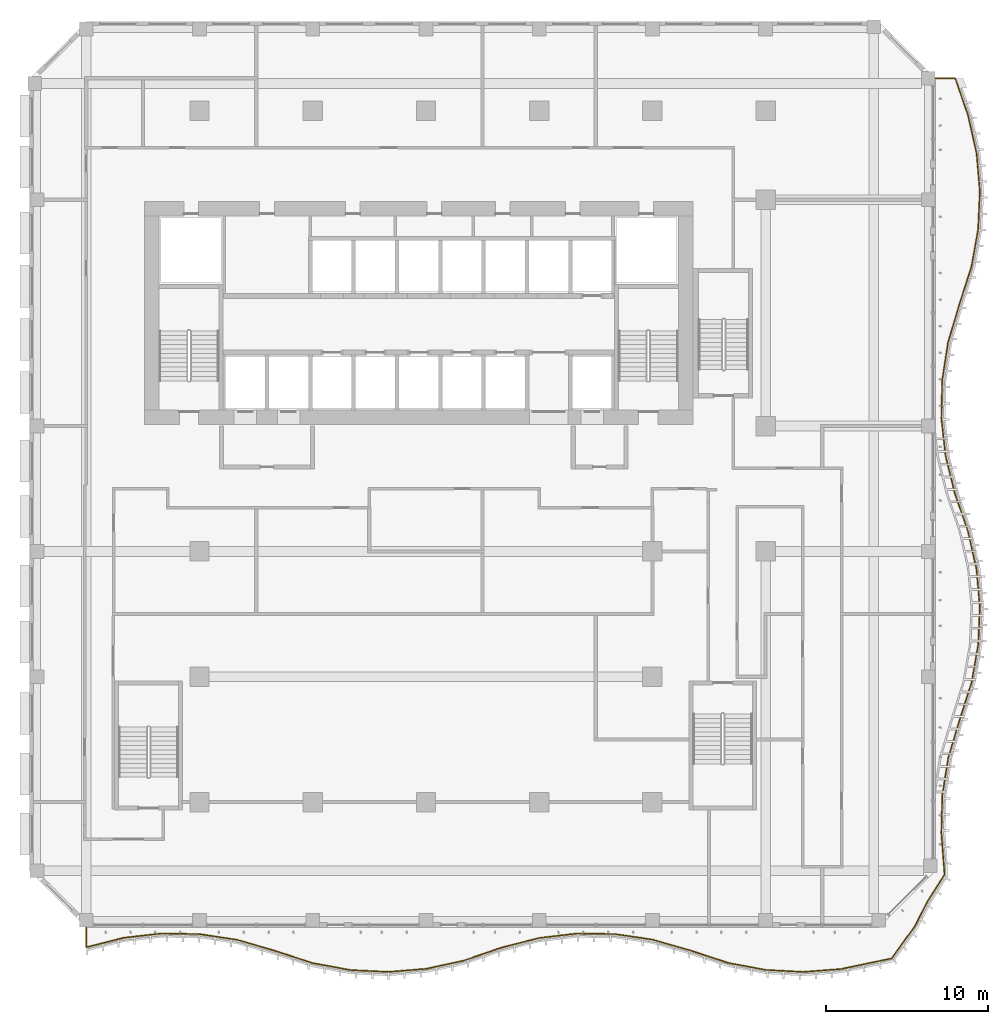
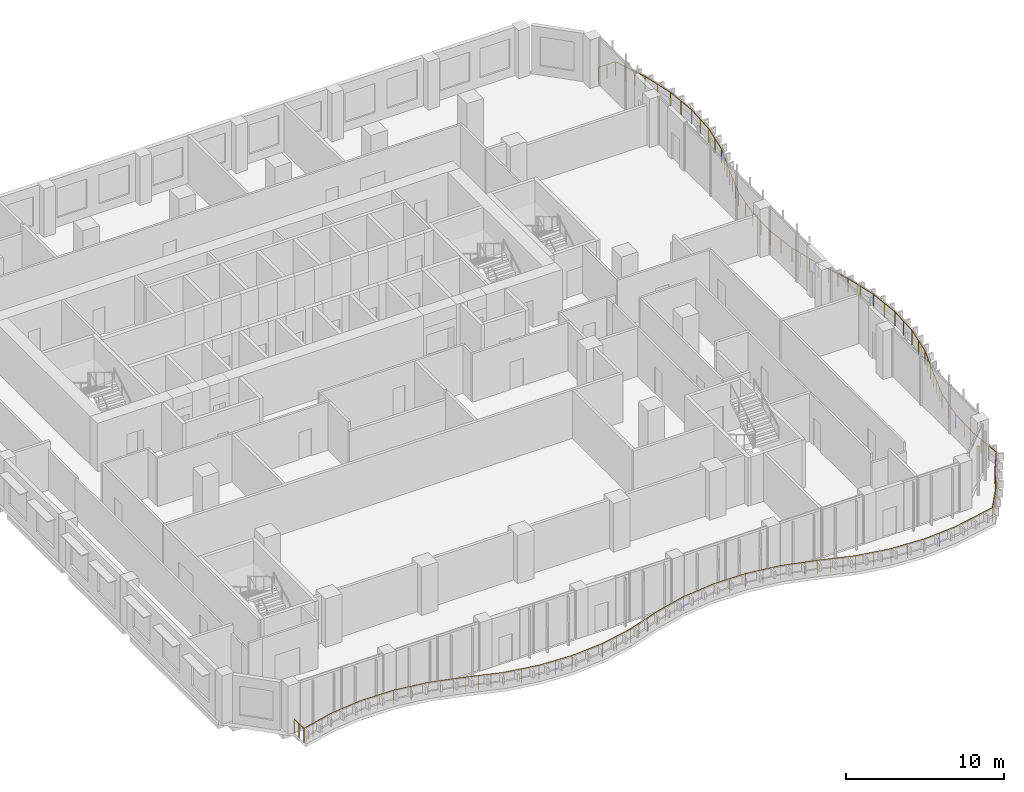
# One storey, part 21 of 25: 1 railing.
"""IFC4 building model written with IfcOpenShell, lengths in metres."""

from ifc_helpers import new_model, si_unit, direction, frame, origin, origin_2d, place, context, subcontext, project, spatial, circle, extrude, material, type_object, element, save


model = new_model("IFC4")

# Units and contexts
model_context = context("Model", 3, precision=1e-05, world=origin(), true_north=direction((0.0, 1.0)))
body_context = subcontext(model_context, "Body", "Model", "MODEL_VIEW")
ifc_project = project(units=[si_unit("LENGTHUNIT", "METRE"), si_unit("AREAUNIT", "SQUARE_METRE"), si_unit("VOLUMEUNIT", "CUBIC_METRE"), si_unit("PLANEANGLEUNIT", "RADIAN"), si_unit("MASSUNIT", "GRAM", prefix="KILO")], contexts=[model_context])

# Site, building, storey
site_placement = place(None, origin())
site = spatial("IfcSite", under=ifc_project, at=site_placement, CompositionType="ELEMENT")
building_placement = place(site_placement, origin())
building = spatial("IfcBuilding", under=site, at=building_placement, Name="Kilnfold Tower and Market Hall", CompositionType="ELEMENT")
storey_placement = place(building_placement, frame((0.0, 0.0, 120.60009765625)))
storey = spatial("IfcBuildingStorey", under=building, at=storey_placement, Name="L28", CompositionType="ELEMENT", Elevation=120.60009765625)

# Railing
ifc_material = material(Name="Stainless steel and laminated glass", Category="steel")
railing_type = type_object("IfcRailingType", Name="GUARD 1100", PredefinedType="GUARDRAIL", material=ifc_material)
railing_placement = place(storey_placement, frame((-19.5, -23.0, 0.0)))
element("IfcRailing", 1, at=railing_placement, inside=storey, type_object=railing_type, Name="Guard balcony L28", PredefinedType="GUARDRAIL", context=body_context, shape_type="SweptSolid", body=[
    extrude(circle(Radius=0.02490234375, at=origin_2d()), frame((0.0, 0.0, 1.0751953125), z_axis=(0.0, -1.0, 0.0), x_axis=(1.0, 0.0, 0.0)), (0.0, 0.0, 1.0), 1.223388671875),
    extrude(circle(Radius=0.02490234375, at=origin_2d()), frame((0.0, -1.223388671875, 1.0751953125), z_axis=(0.96974127328, 0.244134927646, 0.0), x_axis=(-0.244134927646, 0.96974127328, 0.0)), (0.0, 0.0, 1.0), 2.406005859375),
    extrude(circle(Radius=0.02490234375, at=origin_2d()), frame((2.333251953125, -0.635986328125, 1.0751953125), z_axis=(0.993571815271, 0.113203568407, 0.0), x_axis=(-0.113203568407, 0.993571815271, 0.0)), (0.0, 0.0, 1.0), 2.3486328125),
    extrude(circle(Radius=0.02490234375, at=origin_2d()), frame((4.666748046875, -0.3701171875, 1.0751953125), z_axis=(0.999839965068, -0.017889780687, 0.0), x_axis=(0.017889780687, 0.999839965068, 0.0)), (0.0, 0.0, 1.0), 2.333740234375),
    extrude(circle(Radius=0.02490234375, at=origin_2d()), frame((7.0, -0.411865234375, 1.0751953125), z_axis=(0.988853474468, -0.148891927358, 0.0), x_axis=(0.148891927358, 0.988853474468, 0.0)), (0.0, 0.0, 1.0), 2.359619140625),
    extrude(circle(Radius=0.02490234375, at=origin_2d()), frame((9.333251953125, -0.76318359375, 1.0751953125), z_axis=(0.960047235361, -0.279837999342, 0.0), x_axis=(0.279837999342, 0.960047235361, 0.0)), (0.0, 0.0, 1.0), 2.4306640625),
    extrude(circle(Radius=0.02490234375, at=origin_2d()), frame((11.666748046875, -1.443359375, 1.0751953125), z_axis=(0.950829875338, -0.309713655114, 0.0), x_axis=(0.309713655114, 0.950829875338, 0.0)), (0.0, 0.0, 1.0), 2.453857421875),
    extrude(circle(Radius=0.02490234375, at=origin_2d()), frame((14.0, -2.203369140625, 1.0751953125), z_axis=(0.983553882776, -0.180614948652, 0.0), x_axis=(0.180614948652, 0.983553882776, 0.0)), (0.0, 0.0, 1.0), 2.372314453125),
    extrude(circle(Radius=0.02490234375, at=origin_2d()), frame((16.333251953125, -2.6318359375, 1.0751953125), z_axis=(0.998767407187, -0.049635333586, 0.0), x_axis=(0.049635333586, 0.998767407187, 0.0)), (0.0, 0.0, 1.0), 2.33642578125),
    extrude(circle(Radius=0.02490234375, at=origin_2d()), frame((18.666748046875, -2.747802734375, 1.0751953125), z_axis=(0.996685996413, 0.081345095449, 0.0), x_axis=(-0.081345095449, 0.996685996413, 0.0)), (0.0, 0.0, 1.0), 2.341064453125),
    extrude(circle(Radius=0.02490234375, at=origin_2d()), frame((21.0, -2.557373046875, 1.0751953125), z_axis=(0.97716805797, 0.212467848118, 0.0), x_axis=(-0.212467848118, 0.97716805797, 0.0)), (0.0, 0.0, 1.0), 2.3876953125),
    extrude(circle(Radius=0.02490234375, at=origin_2d()), frame((23.333251953125, -2.050048828125, 1.0751953125), z_axis=(0.945521113072, 0.325560785009, 0.0), x_axis=(-0.325560785009, 0.945521113072, 0.0)), (0.0, 0.0, 1.0), 2.468017578125),
    extrude(circle(Radius=0.02490234375, at=origin_2d()), frame((25.666748046875, -1.24658203125, 1.0751953125), z_axis=(0.96870074777, 0.248231467122, 0.0), x_axis=(-0.248231467122, 0.96870074777, 0.0)), (0.0, 0.0, 1.0), 2.40869140625),
    extrude(circle(Radius=0.02490234375, at=origin_2d()), frame((28.0, -0.648681640625, 1.0751953125), z_axis=(0.993130728786, 0.117010065984, 0.0), x_axis=(-0.117010065984, 0.993130728786, 0.0)), (0.0, 0.0, 1.0), 2.349365234375),
    extrude(circle(Radius=0.02490234375, at=origin_2d()), frame((30.333251953125, -0.373779296875, 1.0751953125), z_axis=(0.999904649781, -0.013809103763, 0.0), x_axis=(0.013809103763, 0.999904649781, 0.0)), (0.0, 0.0, 1.0), 2.333740234375),
    extrude(circle(Radius=0.02490234375, at=origin_2d()), frame((32.666748046875, -0.406005859375, 1.0751953125), z_axis=(0.989440070297, -0.144942565493, 0.0), x_axis=(0.144942565493, 0.989440070297, 0.0)), (0.0, 0.0, 1.0), 2.358154296875),
    extrude(circle(Radius=0.02490234375, at=origin_2d()), frame((35.0, -0.747802734375, 1.0751953125), z_axis=(0.96119306428, -0.275876590491, 0.0), x_axis=(0.275876590491, 0.96119306428, 0.0)), (0.0, 0.0, 1.0), 2.427490234375),
    extrude(circle(Radius=0.02490234375, at=origin_2d()), frame((37.333251953125, -1.41748046875, 1.0751953125), z_axis=(0.949898615679, -0.312558186473, 0.0), x_axis=(0.312558186473, 0.949898615679, 0.0)), (0.0, 0.0, 1.0), 2.45654296875),
    extrude(circle(Radius=0.02490234375, at=origin_2d()), frame((39.666748046875, -2.185302734375, 1.0751953125), z_axis=(0.982815094306, -0.184592769099, 0.0), x_axis=(0.184592769099, 0.982815094306, 0.0)), (0.0, 0.0, 1.0), 2.3740234375),
    extrude(circle(Radius=0.02490234375, at=origin_2d()), frame((42.0, -2.62353515625, 1.0751953125), z_axis=(0.998562445583, -0.053600767457, 0.0), x_axis=(0.053600767457, 0.998562445583, 0.0)), (0.0, 0.0, 1.0), 2.336669921875),
    extrude(circle(Radius=0.02490234375, at=origin_2d()), frame((44.333251953125, -2.748779296875, 1.0751953125), z_axis=(0.997000242358, 0.077398428524, 0.0), x_axis=(-0.077398428524, 0.997000242358, 0.0)), (0.0, 0.0, 1.0), 2.340576171875),
    extrude(circle(Radius=0.02490234375, at=origin_2d()), frame((46.666748046875, -2.567626953125, 1.0751953125), z_axis=(0.978736758256, 0.205120350133, 0.0), x_axis=(-0.205120350133, 0.978736758256, 0.0)), (0.0, 0.0, 1.0), 3.193359375),
    extrude(circle(Radius=0.02490234375, at=origin_2d()), frame((49.792236328125, -1.91259765625, 1.0751953125), z_axis=(0.583969397826, 0.811775672463, 0.0), x_axis=(-0.811775672463, 0.583969397826, 0.0)), (0.0, 0.0, 1.0), 2.474609375),
    extrude(circle(Radius=0.02490234375, at=origin_2d()), frame((51.2373046875, 0.09619140625, 1.0751953125), z_axis=(0.453674913067, 0.891167253243, 0.0), x_axis=(-0.891167253243, 0.453674913067, 0.0)), (0.0, 0.0, 1.0), 1.73486328125),
    extrude(circle(Radius=0.02490234375, at=origin_2d()), frame((52.0244140625, 1.642333984375, 1.0751953125), z_axis=(0.5392081706, 0.842172517218, 0.0), x_axis=(-0.842172517218, 0.5392081706, 0.0)), (0.0, 0.0, 1.0), 1.928466796875),
    extrude(circle(Radius=0.02490234375, at=origin_2d()), frame((53.064208984375, 3.266357421875, 1.0751953125), z_axis=(-0.077755130235, 0.996972486943, 0.0), x_axis=(-0.996972486943, -0.077755130235, 0.0)), (0.0, 0.0, 1.0), 2.57470703125),
    extrude(circle(Radius=0.02490234375, at=origin_2d()), frame((52.864013671875, 5.833251953125, 1.0751953125), z_axis=(0.02583360174, 0.999666256818, 0.0), x_axis=(-0.999666256818, 0.02583360174, 0.0)), (0.0, 0.0, 1.0), 2.334228515625),
    extrude(circle(Radius=0.02490234375, at=origin_2d()), frame((52.92431640625, 8.166748046875, 1.0751953125), z_axis=(0.15676914423, 0.98763527449, 0.0), x_axis=(-0.98763527449, 0.15676914423, 0.0)), (0.0, 0.0, 1.0), 2.362548828125),
    extrude(circle(Radius=0.02490234375, at=origin_2d()), frame((53.294677734375, 10.5, 1.0751953125), z_axis=(0.287890235925, 0.957663412718, 0.0), x_axis=(-0.957663412718, 0.287890235925, 0.0)), (0.0, 0.0, 1.0), 2.436279296875),
    extrude(circle(Radius=0.02490234375, at=origin_2d()), frame((53.99609375, 12.833251953125, 1.0751953125), z_axis=(0.303187196471, 0.952931017386, 0.0), x_axis=(-0.952931017386, 0.303187196471, 0.0)), (0.0, 0.0, 1.0), 2.44873046875),
    extrude(circle(Radius=0.02490234375, at=origin_2d()), frame((54.738525390625, 15.166748046875, 1.0751953125), z_axis=(0.172732820859, 0.984968716558, 0.0), x_axis=(-0.984968716558, 0.172732820859, 0.0)), (0.0, 0.0, 1.0), 2.368896484375),
    extrude(circle(Radius=0.02490234375, at=origin_2d()), frame((55.147705078125, 17.5, 1.0751953125), z_axis=(0.041713165348, 0.999129627144, 0.0), x_axis=(-0.999129627144, 0.041713165348, 0.0)), (0.0, 0.0, 1.0), 2.335205078125),
    extrude(circle(Radius=0.02490234375, at=origin_2d()), frame((55.2451171875, 19.833251953125, 1.0751953125), z_axis=(-0.089408219928, 0.995995065354, 0.0), x_axis=(-0.995995065354, -0.089408219928, 0.0)), (0.0, 0.0, 1.0), 2.3427734375),
    extrude(circle(Radius=0.02490234375, at=origin_2d()), frame((55.03564453125, 22.166748046875, 1.0751953125), z_axis=(-0.220354849569, 0.97541977644, 0.0), x_axis=(-0.97541977644, -0.220354849569, 0.0)), (0.0, 0.0, 1.0), 2.39208984375),
    extrude(circle(Radius=0.02490234375, at=origin_2d()), frame((54.508544921875, 24.5, 1.0751953125), z_axis=(-0.327270166885, 0.944930811153, 0.0), x_axis=(-0.944930811153, -0.327270166885, 0.0)), (0.0, 0.0, 1.0), 2.46923828125),
    extrude(circle(Radius=0.02490234375, at=origin_2d()), frame((53.700439453125, 26.833251953125, 1.0751953125), z_axis=(-0.240097323203, 0.970748821988, 0.0), x_axis=(-0.970748821988, -0.240097323203, 0.0)), (0.0, 0.0, 1.0), 2.40380859375),
    extrude(circle(Radius=0.02490234375, at=origin_2d()), frame((53.123291015625, 29.166748046875, 1.0751953125), z_axis=(-0.109209965363, 0.994018703781, 0.0), x_axis=(-0.994018703781, -0.109209965363, 0.0)), (0.0, 0.0, 1.0), 2.347412109375),
    extrude(circle(Radius=0.02490234375, at=origin_2d()), frame((52.866943359375, 31.5, 1.0751953125), z_axis=(0.021863559845, 0.999760963806, 0.0), x_axis=(-0.999760963806, 0.021863559845, 0.0)), (0.0, 0.0, 1.0), 2.333740234375),
    extrude(circle(Radius=0.02490234375, at=origin_2d()), frame((52.91796875, 33.833251953125, 1.0751953125), z_axis=(0.152818560385, 0.988254262628, 0.0), x_axis=(-0.988254262628, 0.152818560385, 0.0)), (0.0, 0.0, 1.0), 2.361328125),
    extrude(circle(Radius=0.02490234375, at=origin_2d()), frame((53.27880859375, 36.166748046875, 1.0751953125), z_axis=(0.283838945335, 0.958871969093, 0.0), x_axis=(-0.958871969093, 0.283838945335, 0.0)), (0.0, 0.0, 1.0), 2.433349609375),
    extrude(circle(Radius=0.02490234375, at=origin_2d()), frame((53.969482421875, 38.5, 1.0751953125), z_axis=(0.306650659019, 0.951822133239, 0.0), x_axis=(-0.951822133239, 0.306650659019, 0.0)), (0.0, 0.0, 1.0), 2.451416015625),
    extrude(circle(Radius=0.02490234375, at=origin_2d()), frame((54.72119140625, 40.833251953125, 1.0751953125), z_axis=(0.176610342499, 0.984280847585, 0.0), x_axis=(-0.984280847585, 0.176610342499, 0.0)), (0.0, 0.0, 1.0), 2.370849609375),
    extrude(circle(Radius=0.02490234375, at=origin_2d()), frame((55.139892578125, 43.166748046875, 1.0751953125), z_axis=(0.045677918569, 0.998956219138, 0.0), x_axis=(-0.998956219138, 0.045677918569, 0.0)), (0.0, 0.0, 1.0), 2.335693359375),
    extrude(circle(Radius=0.02490234375, at=origin_2d()), frame((55.24658203125, 45.5, 1.0751953125), z_axis=(-0.085383399696, 0.996348169595, 0.0), x_axis=(-0.996348169595, -0.085383399696, 0.0)), (0.0, 0.0, 1.0), 2.341796875),
    extrude(circle(Radius=0.02490234375, at=origin_2d()), frame((55.046630859375, 47.833251953125, 1.0751953125), z_axis=(-0.216346381105, 0.976316671671, 0.0), x_axis=(-0.976316671671, -0.216346381105, 0.0)), (0.0, 0.0, 1.0), 2.39013671875),
    extrude(circle(Radius=0.02490234375, at=origin_2d()), frame((54.529541015625, 50.166748046875, 1.0751953125), z_axis=(-0.326563626531, 0.945175220701, 0.0), x_axis=(-0.945175220701, -0.326563626531, 0.0)), (0.0, 0.0, 1.0), 2.468505859375),
    extrude(circle(Radius=0.02490234375, at=origin_2d()), frame((53.723388671875, 52.5, 1.0751953125), z_axis=(-1.0, 0.0, 0.0), x_axis=(0.0, -1.0, 0.0)), (0.0, 0.0, 1.0), 1.223388671875),
    extrude(circle(Radius=0.02490234375, at=origin_2d()), origin(), (0.0, 0.0, 1.0), 1.050048828125),
    extrude(circle(Radius=0.02490234375, at=origin_2d()), frame((0.0, -0.61181640625, 0.0)), (0.0, 0.0, 1.0), 1.050048828125),
    extrude(circle(Radius=0.02490234375, at=origin_2d()), frame((0.0, -1.223388671875, 0.0)), (0.0, 0.0, 1.0), 1.050048828125),
    extrude(circle(Radius=0.02490234375, at=origin_2d()), frame((0.77783203125, -1.027587890625, 0.0)), (0.0, 0.0, 1.0), 1.050048828125),
    extrude(circle(Radius=0.02490234375, at=origin_2d()), frame((1.555419921875, -0.831787109375, 0.0)), (0.0, 0.0, 1.0), 1.050048828125),
    extrude(circle(Radius=0.02490234375, at=origin_2d()), frame((2.333251953125, -0.635986328125, 0.0)), (0.0, 0.0, 1.0), 1.050048828125),
    extrude(circle(Radius=0.02490234375, at=origin_2d()), frame((3.5, -0.5029296875, 0.0)), (0.0, 0.0, 1.0), 1.050048828125),
    extrude(circle(Radius=0.02490234375, at=origin_2d()), frame((4.666748046875, -0.3701171875, 0.0)), (0.0, 0.0, 1.0), 1.050048828125),
    extrude(circle(Radius=0.02490234375, at=origin_2d()), frame((5.83349609375, -0.39111328125, 0.0)), (0.0, 0.0, 1.0), 1.050048828125),
    extrude(circle(Radius=0.02490234375, at=origin_2d()), frame((7.0, -0.411865234375, 0.0)), (0.0, 0.0, 1.0), 1.050048828125),
    extrude(circle(Radius=0.02490234375, at=origin_2d()), frame((8.16650390625, -0.58740234375, 0.0)), (0.0, 0.0, 1.0), 1.050048828125),
    extrude(circle(Radius=0.02490234375, at=origin_2d()), frame((9.333251953125, -0.76318359375, 0.0)), (0.0, 0.0, 1.0), 1.050048828125),
    extrude(circle(Radius=0.02490234375, at=origin_2d()), frame((10.111083984375, -0.989990234375, 0.0)), (0.0, 0.0, 1.0), 1.050048828125),
    extrude(circle(Radius=0.02490234375, at=origin_2d()), frame((10.888916015625, -1.216552734375, 0.0)), (0.0, 0.0, 1.0), 1.050048828125),
    extrude(circle(Radius=0.02490234375, at=origin_2d()), frame((11.666748046875, -1.443359375, 0.0)), (0.0, 0.0, 1.0), 1.050048828125),
    extrude(circle(Radius=0.02490234375, at=origin_2d()), frame((12.444580078125, -1.69677734375, 0.0)), (0.0, 0.0, 1.0), 1.050048828125),
    extrude(circle(Radius=0.02490234375, at=origin_2d()), frame((13.22216796875, -1.949951171875, 0.0)), (0.0, 0.0, 1.0), 1.050048828125),
    extrude(circle(Radius=0.02490234375, at=origin_2d()), frame((14.0, -2.203369140625, 0.0)), (0.0, 0.0, 1.0), 1.050048828125),
    extrude(circle(Radius=0.02490234375, at=origin_2d()), frame((15.16650390625, -2.41748046875, 0.0)), (0.0, 0.0, 1.0), 1.050048828125),
    extrude(circle(Radius=0.02490234375, at=origin_2d()), frame((16.333251953125, -2.6318359375, 0.0)), (0.0, 0.0, 1.0), 1.050048828125),
    extrude(circle(Radius=0.02490234375, at=origin_2d()), frame((17.5, -2.68994140625, 0.0)), (0.0, 0.0, 1.0), 1.050048828125),
    extrude(circle(Radius=0.02490234375, at=origin_2d()), frame((18.666748046875, -2.747802734375, 0.0)), (0.0, 0.0, 1.0), 1.050048828125),
    extrude(circle(Radius=0.02490234375, at=origin_2d()), frame((19.83349609375, -2.652587890625, 0.0)), (0.0, 0.0, 1.0), 1.050048828125),
    extrude(circle(Radius=0.02490234375, at=origin_2d()), frame((21.0, -2.557373046875, 0.0)), (0.0, 0.0, 1.0), 1.050048828125),
    extrude(circle(Radius=0.02490234375, at=origin_2d()), frame((22.16650390625, -2.3037109375, 0.0)), (0.0, 0.0, 1.0), 1.050048828125),
    extrude(circle(Radius=0.02490234375, at=origin_2d()), frame((23.333251953125, -2.050048828125, 0.0)), (0.0, 0.0, 1.0), 1.050048828125),
    extrude(circle(Radius=0.02490234375, at=origin_2d()), frame((24.111083984375, -1.7822265625, 0.0)), (0.0, 0.0, 1.0), 1.050048828125),
    extrude(circle(Radius=0.02490234375, at=origin_2d()), frame((24.888916015625, -1.514404296875, 0.0)), (0.0, 0.0, 1.0), 1.050048828125),
    extrude(circle(Radius=0.02490234375, at=origin_2d()), frame((25.666748046875, -1.24658203125, 0.0)), (0.0, 0.0, 1.0), 1.050048828125),
    extrude(circle(Radius=0.02490234375, at=origin_2d()), frame((26.444580078125, -1.04736328125, 0.0)), (0.0, 0.0, 1.0), 1.050048828125),
    extrude(circle(Radius=0.02490234375, at=origin_2d()), frame((27.22216796875, -0.847900390625, 0.0)), (0.0, 0.0, 1.0), 1.050048828125),
    extrude(circle(Radius=0.02490234375, at=origin_2d()), frame((28.0, -0.648681640625, 0.0)), (0.0, 0.0, 1.0), 1.050048828125),
    extrude(circle(Radius=0.02490234375, at=origin_2d()), frame((29.16650390625, -0.51123046875, 0.0)), (0.0, 0.0, 1.0), 1.050048828125),
    extrude(circle(Radius=0.02490234375, at=origin_2d()), frame((30.333251953125, -0.373779296875, 0.0)), (0.0, 0.0, 1.0), 1.050048828125),
    extrude(circle(Radius=0.02490234375, at=origin_2d()), frame((31.5, -0.389892578125, 0.0)), (0.0, 0.0, 1.0), 1.050048828125),
    extrude(circle(Radius=0.02490234375, at=origin_2d()), frame((32.666748046875, -0.406005859375, 0.0)), (0.0, 0.0, 1.0), 1.050048828125),
    extrude(circle(Radius=0.02490234375, at=origin_2d()), frame((33.83349609375, -0.576904296875, 0.0)), (0.0, 0.0, 1.0), 1.050048828125),
    extrude(circle(Radius=0.02490234375, at=origin_2d()), frame((35.0, -0.747802734375, 0.0)), (0.0, 0.0, 1.0), 1.050048828125),
    extrude(circle(Radius=0.02490234375, at=origin_2d()), frame((35.77783203125, -0.970947265625, 0.0)), (0.0, 0.0, 1.0), 1.050048828125),
    extrude(circle(Radius=0.02490234375, at=origin_2d()), frame((36.555419921875, -1.1943359375, 0.0)), (0.0, 0.0, 1.0), 1.050048828125),
    extrude(circle(Radius=0.02490234375, at=origin_2d()), frame((37.333251953125, -1.41748046875, 0.0)), (0.0, 0.0, 1.0), 1.050048828125),
    extrude(circle(Radius=0.02490234375, at=origin_2d()), frame((38.111083984375, -1.67333984375, 0.0)), (0.0, 0.0, 1.0), 1.050048828125),
    extrude(circle(Radius=0.02490234375, at=origin_2d()), frame((38.888916015625, -1.929443359375, 0.0)), (0.0, 0.0, 1.0), 1.050048828125),
    extrude(circle(Radius=0.02490234375, at=origin_2d()), frame((39.666748046875, -2.185302734375, 0.0)), (0.0, 0.0, 1.0), 1.050048828125),
    extrude(circle(Radius=0.02490234375, at=origin_2d()), frame((40.83349609375, -2.404296875, 0.0)), (0.0, 0.0, 1.0), 1.050048828125),
    extrude(circle(Radius=0.02490234375, at=origin_2d()), frame((42.0, -2.62353515625, 0.0)), (0.0, 0.0, 1.0), 1.050048828125),
    extrude(circle(Radius=0.02490234375, at=origin_2d()), frame((43.16650390625, -2.68603515625, 0.0)), (0.0, 0.0, 1.0), 1.050048828125),
    extrude(circle(Radius=0.02490234375, at=origin_2d()), frame((44.333251953125, -2.748779296875, 0.0)), (0.0, 0.0, 1.0), 1.050048828125),
    extrude(circle(Radius=0.02490234375, at=origin_2d()), frame((45.5, -2.658203125, 0.0)), (0.0, 0.0, 1.0), 1.050048828125),
    extrude(circle(Radius=0.02490234375, at=origin_2d()), frame((46.666748046875, -2.567626953125, 0.0)), (0.0, 0.0, 1.0), 1.050048828125),
    extrude(circle(Radius=0.02490234375, at=origin_2d()), frame((47.70849609375, -2.349365234375, 0.0)), (0.0, 0.0, 1.0), 1.050048828125),
    extrude(circle(Radius=0.02490234375, at=origin_2d()), frame((48.75048828125, -2.130859375, 0.0)), (0.0, 0.0, 1.0), 1.050048828125),
    extrude(circle(Radius=0.02490234375, at=origin_2d()), frame((49.792236328125, -1.91259765625, 0.0)), (0.0, 0.0, 1.0), 1.050048828125),
    extrude(circle(Radius=0.02490234375, at=origin_2d()), frame((50.27392578125, -1.242919921875, 0.0)), (0.0, 0.0, 1.0), 1.050048828125),
    extrude(circle(Radius=0.02490234375, at=origin_2d()), frame((50.755615234375, -0.573486328125, 0.0)), (0.0, 0.0, 1.0), 1.050048828125),
    extrude(circle(Radius=0.02490234375, at=origin_2d()), frame((51.2373046875, 0.09619140625, 0.0)), (0.0, 0.0, 1.0), 1.050048828125),
    extrude(circle(Radius=0.02490234375, at=origin_2d()), frame((51.630859375, 0.869140625, 0.0)), (0.0, 0.0, 1.0), 1.050048828125),
    extrude(circle(Radius=0.02490234375, at=origin_2d()), frame((52.0244140625, 1.642333984375, 0.0)), (0.0, 0.0, 1.0), 1.050048828125),
    extrude(circle(Radius=0.02490234375, at=origin_2d()), frame((52.54443359375, 2.454345703125, 0.0)), (0.0, 0.0, 1.0), 1.050048828125),
    extrude(circle(Radius=0.02490234375, at=origin_2d()), frame((53.064208984375, 3.266357421875, 0.0)), (0.0, 0.0, 1.0), 1.050048828125),
    extrude(circle(Radius=0.02490234375, at=origin_2d()), frame((52.99755859375, 4.1220703125, 0.0)), (0.0, 0.0, 1.0), 1.050048828125),
    extrude(circle(Radius=0.02490234375, at=origin_2d()), frame((52.9306640625, 4.9775390625, 0.0)), (0.0, 0.0, 1.0), 1.050048828125),
    extrude(circle(Radius=0.02490234375, at=origin_2d()), frame((52.864013671875, 5.833251953125, 0.0)), (0.0, 0.0, 1.0), 1.050048828125),
    extrude(circle(Radius=0.02490234375, at=origin_2d()), frame((52.89404296875, 7.0, 0.0)), (0.0, 0.0, 1.0), 1.050048828125),
    extrude(circle(Radius=0.02490234375, at=origin_2d()), frame((52.92431640625, 8.166748046875, 0.0)), (0.0, 0.0, 1.0), 1.050048828125),
    extrude(circle(Radius=0.02490234375, at=origin_2d()), frame((53.109375, 9.33349609375, 0.0)), (0.0, 0.0, 1.0), 1.050048828125),
    extrude(circle(Radius=0.02490234375, at=origin_2d()), frame((53.294677734375, 10.5, 0.0)), (0.0, 0.0, 1.0), 1.050048828125),
    extrude(circle(Radius=0.02490234375, at=origin_2d()), frame((53.528564453125, 11.27783203125, 0.0)), (0.0, 0.0, 1.0), 1.050048828125),
    extrude(circle(Radius=0.02490234375, at=origin_2d()), frame((53.76220703125, 12.055419921875, 0.0)), (0.0, 0.0, 1.0), 1.050048828125),
    extrude(circle(Radius=0.02490234375, at=origin_2d()), frame((53.99609375, 12.833251953125, 0.0)), (0.0, 0.0, 1.0), 1.050048828125),
    extrude(circle(Radius=0.02490234375, at=origin_2d()), frame((54.24365234375, 13.611083984375, 0.0)), (0.0, 0.0, 1.0), 1.050048828125),
    extrude(circle(Radius=0.02490234375, at=origin_2d()), frame((54.490966796875, 14.388916015625, 0.0)), (0.0, 0.0, 1.0), 1.050048828125),
    extrude(circle(Radius=0.02490234375, at=origin_2d()), frame((54.738525390625, 15.166748046875, 0.0)), (0.0, 0.0, 1.0), 1.050048828125),
    extrude(circle(Radius=0.02490234375, at=origin_2d()), frame((54.943115234375, 16.33349609375, 0.0)), (0.0, 0.0, 1.0), 1.050048828125),
    extrude(circle(Radius=0.02490234375, at=origin_2d()), frame((55.147705078125, 17.5, 0.0)), (0.0, 0.0, 1.0), 1.050048828125),
    extrude(circle(Radius=0.02490234375, at=origin_2d()), frame((55.1962890625, 18.66650390625, 0.0)), (0.0, 0.0, 1.0), 1.050048828125),
    extrude(circle(Radius=0.02490234375, at=origin_2d()), frame((55.2451171875, 19.833251953125, 0.0)), (0.0, 0.0, 1.0), 1.050048828125),
    extrude(circle(Radius=0.02490234375, at=origin_2d()), frame((55.140380859375, 21.0, 0.0)), (0.0, 0.0, 1.0), 1.050048828125),
    extrude(circle(Radius=0.02490234375, at=origin_2d()), frame((55.03564453125, 22.166748046875, 0.0)), (0.0, 0.0, 1.0), 1.050048828125),
    extrude(circle(Radius=0.02490234375, at=origin_2d()), frame((54.77197265625, 23.33349609375, 0.0)), (0.0, 0.0, 1.0), 1.050048828125),
    extrude(circle(Radius=0.02490234375, at=origin_2d()), frame((54.508544921875, 24.5, 0.0)), (0.0, 0.0, 1.0), 1.050048828125),
    extrude(circle(Radius=0.02490234375, at=origin_2d()), frame((54.2392578125, 25.27783203125, 0.0)), (0.0, 0.0, 1.0), 1.050048828125),
    extrude(circle(Radius=0.02490234375, at=origin_2d()), frame((53.9697265625, 26.055419921875, 0.0)), (0.0, 0.0, 1.0), 1.050048828125),
    extrude(circle(Radius=0.02490234375, at=origin_2d()), frame((53.700439453125, 26.833251953125, 0.0)), (0.0, 0.0, 1.0), 1.050048828125),
    extrude(circle(Radius=0.02490234375, at=origin_2d()), frame((53.508056640625, 27.611083984375, 0.0)), (0.0, 0.0, 1.0), 1.050048828125),
    extrude(circle(Radius=0.02490234375, at=origin_2d()), frame((53.315673828125, 28.388916015625, 0.0)), (0.0, 0.0, 1.0), 1.050048828125),
    extrude(circle(Radius=0.02490234375, at=origin_2d()), frame((53.123291015625, 29.166748046875, 0.0)), (0.0, 0.0, 1.0), 1.050048828125),
    extrude(circle(Radius=0.02490234375, at=origin_2d()), frame((52.9951171875, 30.33349609375, 0.0)), (0.0, 0.0, 1.0), 1.050048828125),
    extrude(circle(Radius=0.02490234375, at=origin_2d()), frame((52.866943359375, 31.5, 0.0)), (0.0, 0.0, 1.0), 1.050048828125),
    extrude(circle(Radius=0.02490234375, at=origin_2d()), frame((52.892578125, 32.66650390625, 0.0)), (0.0, 0.0, 1.0), 1.050048828125),
    extrude(circle(Radius=0.02490234375, at=origin_2d()), frame((52.91796875, 33.833251953125, 0.0)), (0.0, 0.0, 1.0), 1.050048828125),
    extrude(circle(Radius=0.02490234375, at=origin_2d()), frame((53.098388671875, 35.0, 0.0)), (0.0, 0.0, 1.0), 1.050048828125),
    extrude(circle(Radius=0.02490234375, at=origin_2d()), frame((53.27880859375, 36.166748046875, 0.0)), (0.0, 0.0, 1.0), 1.050048828125),
    extrude(circle(Radius=0.02490234375, at=origin_2d()), frame((53.509033203125, 36.944580078125, 0.0)), (0.0, 0.0, 1.0), 1.050048828125),
    extrude(circle(Radius=0.02490234375, at=origin_2d()), frame((53.7392578125, 37.72216796875, 0.0)), (0.0, 0.0, 1.0), 1.050048828125),
    extrude(circle(Radius=0.02490234375, at=origin_2d()), frame((53.969482421875, 38.5, 0.0)), (0.0, 0.0, 1.0), 1.050048828125),
    extrude(circle(Radius=0.02490234375, at=origin_2d()), frame((54.219970703125, 39.27783203125, 0.0)), (0.0, 0.0, 1.0), 1.050048828125),
    extrude(circle(Radius=0.02490234375, at=origin_2d()), frame((54.470703125, 40.055419921875, 0.0)), (0.0, 0.0, 1.0), 1.050048828125),
    extrude(circle(Radius=0.02490234375, at=origin_2d()), frame((54.72119140625, 40.833251953125, 0.0)), (0.0, 0.0, 1.0), 1.050048828125),
    extrude(circle(Radius=0.02490234375, at=origin_2d()), frame((54.9306640625, 42.0, 0.0)), (0.0, 0.0, 1.0), 1.050048828125),
    extrude(circle(Radius=0.02490234375, at=origin_2d()), frame((55.139892578125, 43.166748046875, 0.0)), (0.0, 0.0, 1.0), 1.050048828125),
    extrude(circle(Radius=0.02490234375, at=origin_2d()), frame((55.193359375, 44.33349609375, 0.0)), (0.0, 0.0, 1.0), 1.050048828125),
    extrude(circle(Radius=0.02490234375, at=origin_2d()), frame((55.24658203125, 45.5, 0.0)), (0.0, 0.0, 1.0), 1.050048828125),
    extrude(circle(Radius=0.02490234375, at=origin_2d()), frame((55.146484375, 46.66650390625, 0.0)), (0.0, 0.0, 1.0), 1.050048828125),
    extrude(circle(Radius=0.02490234375, at=origin_2d()), frame((55.046630859375, 47.833251953125, 0.0)), (0.0, 0.0, 1.0), 1.050048828125),
    extrude(circle(Radius=0.02490234375, at=origin_2d()), frame((54.7880859375, 49.0, 0.0)), (0.0, 0.0, 1.0), 1.050048828125),
    extrude(circle(Radius=0.02490234375, at=origin_2d()), frame((54.529541015625, 50.166748046875, 0.0)), (0.0, 0.0, 1.0), 1.050048828125),
    extrude(circle(Radius=0.02490234375, at=origin_2d()), frame((54.2607421875, 50.944580078125, 0.0)), (0.0, 0.0, 1.0), 1.050048828125),
    extrude(circle(Radius=0.02490234375, at=origin_2d()), frame((53.9921875, 51.72216796875, 0.0)), (0.0, 0.0, 1.0), 1.050048828125),
    extrude(circle(Radius=0.02490234375, at=origin_2d()), frame((53.723388671875, 52.5, 0.0)), (0.0, 0.0, 1.0), 1.050048828125),
    extrude(circle(Radius=0.02490234375, at=origin_2d()), frame((53.11181640625, 52.5, 0.0)), (0.0, 0.0, 1.0), 1.050048828125),
    extrude(circle(Radius=0.02490234375, at=origin_2d()), frame((52.5, 52.5, 0.0)), (0.0, 0.0, 1.0), 1.050048828125),
])

save(model, "model.ifc")
